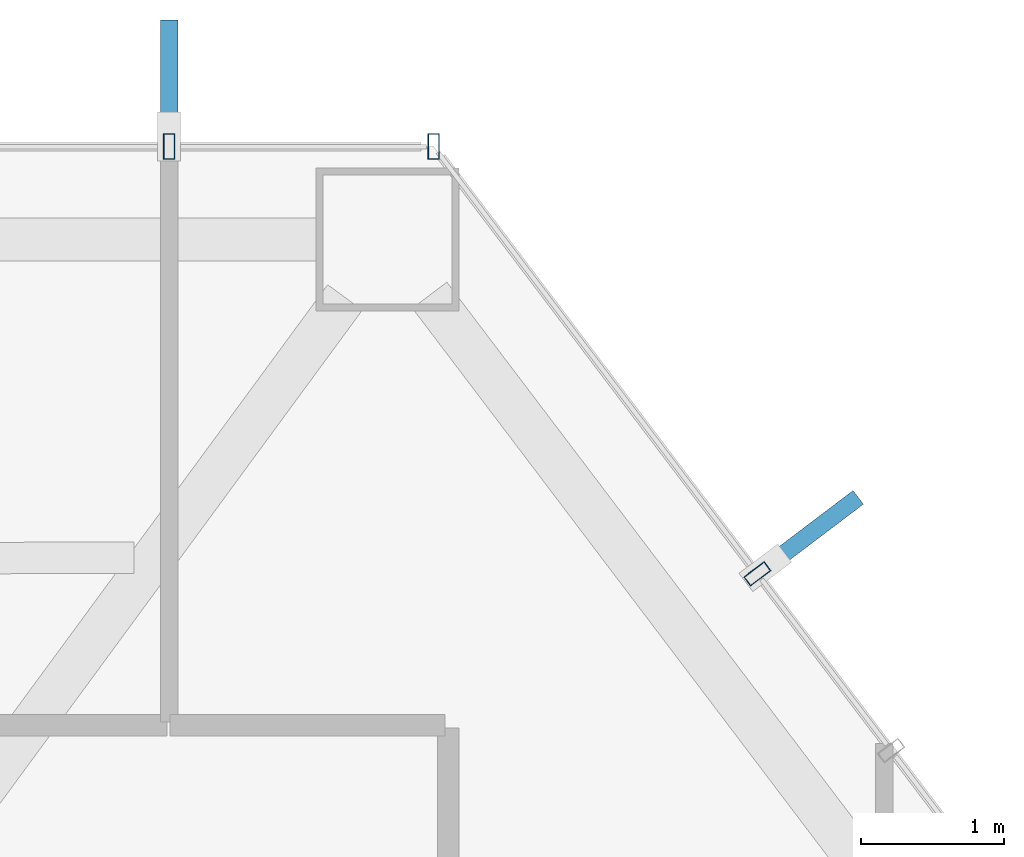
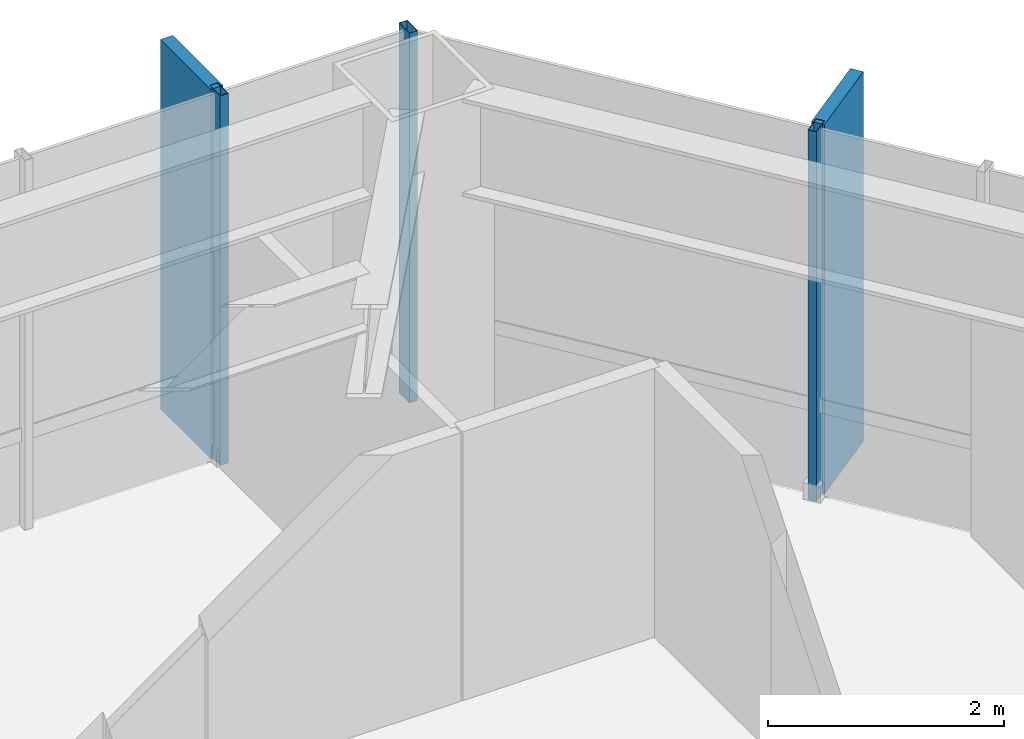
# One storey, part 20 of 25: 5 members, 2 elements without a shape of their own.
"""IFC4 building model written with IfcOpenShell, lengths in metres."""

from ifc_helpers import new_model, si_unit, direction, frame, origin, origin_2d, place, context, subcontext, project, spatial, rectangle, hollow_rectangle, extrude, material, layer, layer_set, material_profile, profile_set, type_object, element, aggregate, save


model = new_model("IFC4")

# Units and contexts
model_context = context("Model", 3, precision=1e-05, world=origin(), true_north=direction((0.0, 1.0)))
body_context = subcontext(model_context, "Body", "Model", "MODEL_VIEW")
ifc_project = project(units=[si_unit("LENGTHUNIT", "METRE"), si_unit("AREAUNIT", "SQUARE_METRE"), si_unit("VOLUMEUNIT", "CUBIC_METRE"), si_unit("PLANEANGLEUNIT", "RADIAN"), si_unit("MASSUNIT", "GRAM", prefix="KILO")], contexts=[model_context])

# Site, building, storey
site_placement = place(None, origin())
site = spatial("IfcSite", under=ifc_project, at=site_placement, CompositionType="ELEMENT")
building_placement = place(site_placement, origin())
building = spatial("IfcBuilding", under=site, at=building_placement, Name="Zarrinselat Tower", CompositionType="ELEMENT")
storey_placement = place(building_placement, frame((0.0, 0.0, 39.780029296875)))
storey = spatial("IfcBuildingStorey", under=building, at=storey_placement, Name="L09", CompositionType="ELEMENT", Elevation=39.780029296875)

# Curtain wall, members
ifc_material_1 = material(Name="Extruded Aluminium Alloy EN AW-6063 T6", Category="aluminium")
ifc_layer = layer(ifc_material_1, 0.18505859375)
ifc_layer_set = layer_set([ifc_layer], Name="Extruded Aluminium Alloy EN AW-6063 T6")
curtain_wall_type = type_object("IfcCurtainWallType", Name="CWS-OFF", PredefinedType="NOTDEFINED", material=ifc_layer_set)
curtain_wall_1_placement = place(storey_placement, origin())
curtain_wall_1 = element("IfcCurtainWall", 1, at=curtain_wall_1_placement, inside=storey, type_object=curtain_wall_type, Name="L09 Unitised Curtain Wall CW-L09-E01", PredefinedType="NOTDEFINED")
ifc_material_2 = material(Name="Extruded Aluminium Alloy EN AW-6063 T6", Category="aluminium")
ifc_material_profile_1 = material_profile(ifc_material_2, hollow_rectangle(XDim=0.080078125, YDim=0.179931640625, WallThickness=0.0048828125, at=origin_2d()), Name="RHS 180x80x5")
ifc_profile_set_1 = profile_set([ifc_material_profile_1], Name="Extruded Aluminium Alloy EN AW-6063 T6")
member_type_1 = type_object("IfcMemberType", Name="MEM-CW-MUL", PredefinedType="MULLION", material=ifc_profile_set_1)
member_1_placement = place(storey_placement, frame((50.349365234375, 50.04443359375, 0.0), z_axis=(0.0, 0.0, 1.0), x_axis=(-1.0, 0.0, 0.0)))
member_1 = element("IfcMember", 2, at=member_1_placement, type_object=member_type_1, Name="CW-L09-E01 Mullion 0", PredefinedType="MULLION", context=body_context, shape_type="SweptSolid", body=[
    extrude(hollow_rectangle(XDim=0.080078125, YDim=0.179931640625, WallThickness=0.0048828125, at=origin_2d()), origin(), (0.0, 0.0, 1.0), 3.820068359375),
])
member_2_placement = place(storey_placement, frame((48.5, 50.04443359375, 0.0), z_axis=(0.0, 0.0, 1.0), x_axis=(-1.0, 0.0, 0.0)))
member_2 = element("IfcMember", 3, at=member_2_placement, type_object=member_type_1, Name="CW-L09-E01 Mullion 1", PredefinedType="MULLION", context=body_context, shape_type="SweptSolid", body=[
    extrude(hollow_rectangle(XDim=0.080078125, YDim=0.179931640625, WallThickness=0.0048828125, at=origin_2d()), origin(), (0.0, 0.0, 1.0), 3.820068359375),
])

# Curtain wall, member
curtain_wall_2_placement = place(storey_placement, origin())
curtain_wall_2 = element("IfcCurtainWall", 4, at=curtain_wall_2_placement, inside=storey, type_object=curtain_wall_type, Name="L09 Unitised Curtain Wall CW-L09-E06", PredefinedType="NOTDEFINED")
member_3_placement = place(storey_placement, frame((52.612060546875, 47.0576171875, 0.0), z_axis=(0.0, 0.0, 1.0), x_axis=(-0.603858304597, 0.797091681031, 0.0)))
member_3 = element("IfcMember", 5, at=member_3_placement, type_object=member_type_1, Name="CW-L09-E06 Mullion 5", PredefinedType="MULLION", context=body_context, shape_type="SweptSolid", body=[
    extrude(hollow_rectangle(XDim=0.080078125, YDim=0.179931640625, WallThickness=0.0048828125, at=origin_2d()), origin(), (0.0, 0.0, 1.0), 3.820068359375),
])

# Member
ifc_material_3 = material(Name="Honed Cream Travertine Stone", Category="masonry")
ifc_material_profile_2 = material_profile(ifc_material_3, rectangle(XDim=0.1201171875, YDim=0.85009765625, at=origin_2d()), Name="FIN 850x120")
ifc_profile_set_2 = profile_set([ifc_material_profile_2], Name="Honed Cream Travertine Stone")
member_type_2 = type_object("IfcMemberType", Name="MEM-STONE-FIN", PredefinedType="USERDEFINED", material=ifc_profile_set_2)
member_4_placement = place(storey_placement, frame((48.5, 50.50439453125, 0.0), z_axis=(0.0, 0.0, 1.0), x_axis=(1.0, 0.0, 0.0)))
member_4 = element("IfcMember", 6, at=member_4_placement, type_object=member_type_2, Name="L09 Stone Shading Fin CW-L09-E01-01", ObjectType="FIN", PredefinedType="USERDEFINED", context=body_context, shape_type="SweptSolid", body=[
    extrude(rectangle(XDim=0.1201171875, YDim=0.85009765625, at=origin_2d()), origin(), (0.0, 0.0, 1.0), 3.820068359375),
])

aggregate(curtain_wall_1, [member_1, member_2, member_4])

member_5_placement = place(storey_placement, frame((52.978759765625, 47.33544921875, 0.0), z_axis=(0.0, 0.0, 1.0), x_axis=(0.603858304597, -0.797091681031, 0.0)))
member_5 = element("IfcMember", 7, at=member_5_placement, type_object=member_type_2, Name="L09 Stone Shading Fin CW-L09-E06-05", ObjectType="FIN", PredefinedType="USERDEFINED", context=body_context, shape_type="SweptSolid", body=[
    extrude(rectangle(XDim=0.1201171875, YDim=0.85009765625, at=origin_2d()), origin(), (0.0, 0.0, 1.0), 3.820068359375),
])

aggregate(curtain_wall_2, [member_3, member_5])

save(model, "model.ifc")
